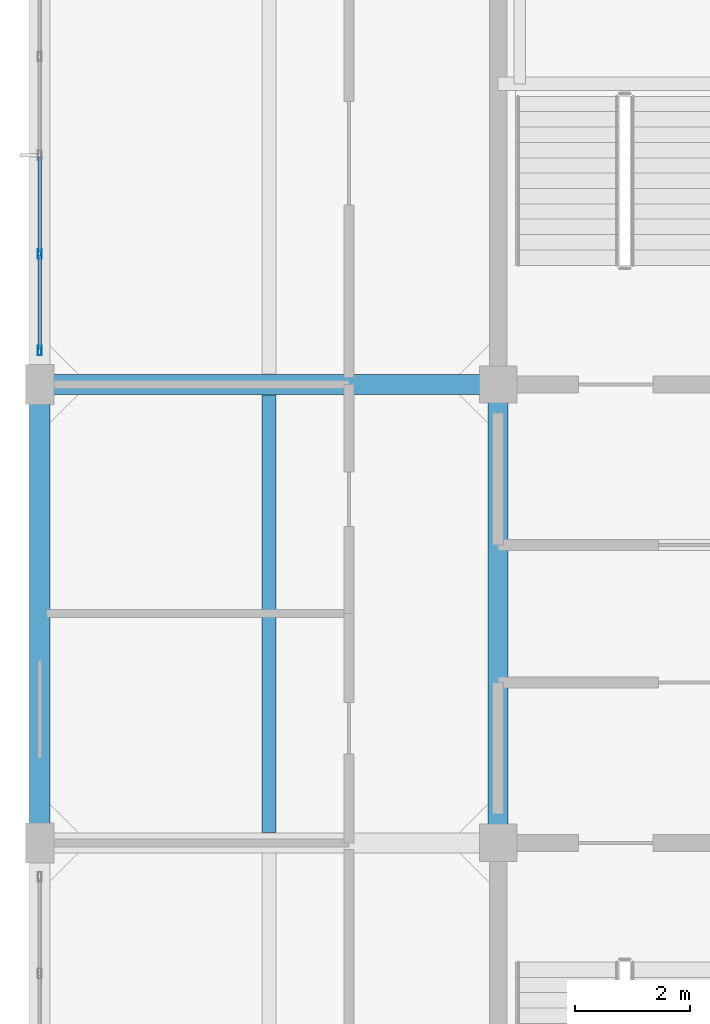
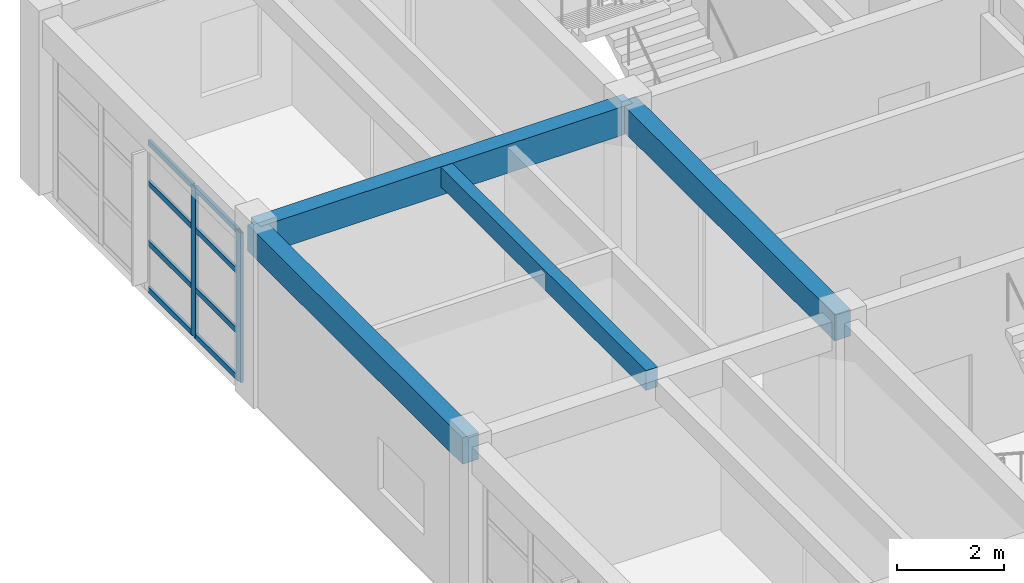
# One storey, part 9 of 20: 10 members, 4 beams, 1 element without a shape of its own.
"""IFC4 building model written with IfcOpenShell, lengths in metres."""

from ifc_helpers import new_model, si_unit, direction, frame, origin, origin_2d, place, context, subcontext, project, spatial, rectangle, hollow_rectangle, extrude, material, layer, layer_set, material_profile, profile_set, type_object, element, aggregate, save


model = new_model("IFC4")

# Units and contexts
model_context = context("Model", 3, precision=1e-05, world=origin(), true_north=direction((0.0, 1.0)))
body_context = subcontext(model_context, "Body", "Model", "MODEL_VIEW")
ifc_project = project(units=[si_unit("LENGTHUNIT", "METRE"), si_unit("AREAUNIT", "SQUARE_METRE"), si_unit("VOLUMEUNIT", "CUBIC_METRE"), si_unit("PLANEANGLEUNIT", "RADIAN"), si_unit("MASSUNIT", "GRAM", prefix="KILO")], contexts=[model_context])

# Site, building, storey
site_placement = place(None, origin())
site = spatial("IfcSite", under=ifc_project, at=site_placement, CompositionType="ELEMENT")
building_placement = place(site_placement, origin())
building = spatial("IfcBuilding", under=site, at=building_placement, Name="Canggui Botanical Conservatory", CompositionType="ELEMENT")
storey_placement = place(building_placement, frame((0.0, 0.0, 57.0)))
storey = spatial("IfcBuildingStorey", under=building, at=storey_placement, Name="L14", CompositionType="ELEMENT", Elevation=57.0)

# Beams
ifc_material_1 = material(Name="Concrete C35", Category="concrete")
ifc_material_profile_1 = material_profile(ifc_material_1, rectangle(XDim=0.25, YDim=0.449951171875, at=origin_2d()), Name="RB 250x450")
ifc_profile_set_1 = profile_set([ifc_material_profile_1], Name="Concrete C35")
beam_type_1 = type_object("IfcBeamType", Name="BM-JST05", PredefinedType="JOIST", material=ifc_profile_set_1)
beam_1_placement = place(storey_placement, frame((150.0, 50.179931640625, 3.735107421875), z_axis=(0.0, 1.0, 0.0), x_axis=(-1.0, 0.0, 0.0)))
element("IfcBeam", 1, at=beam_1_placement, inside=storey, type_object=beam_type_1, Name="Secondary Floor Joist L14-1-2", PredefinedType="JOIST", context=body_context, shape_type="SweptSolid", body=[
    extrude(rectangle(XDim=0.25, YDim=0.449951171875, at=origin_2d()), origin(), (0.0, 0.0, 1.0), 7.64013671875),
])
ifc_material_profile_2 = material_profile(ifc_material_1, rectangle(XDim=0.35009765625, YDim=0.64990234375, at=origin_2d()), Name="RB 350x650")
ifc_profile_set_2 = profile_set([ifc_material_profile_2], Name="Concrete C35")
beam_type_2 = type_object("IfcBeamType", Name="BM-KL18", PredefinedType="BEAM", material=ifc_profile_set_2)
beam_2_placement = place(storey_placement, frame((146.0, 58.0, 3.635009765625), z_axis=(1.0, 0.0, 0.0), x_axis=(0.0, 1.0, 0.0)))
element("IfcBeam", 2, at=beam_2_placement, inside=storey, type_object=beam_type_2, Name="Frame Girder L14 Y58-1", PredefinedType="BEAM", context=body_context, shape_type="SweptSolid", body=[
    extrude(rectangle(XDim=0.35009765625, YDim=0.64990234375, at=origin_2d()), origin(), (0.0, 0.0, 1.0), 8.0),
])
ifc_material_profile_3 = material_profile(ifc_material_1, rectangle(XDim=0.35009765625, YDim=0.60009765625, at=origin_2d()), Name="RB 350x600")
ifc_profile_set_3 = profile_set([ifc_material_profile_3], Name="Concrete C35")
beam_type_3 = type_object("IfcBeamType", Name="BM-KL19", PredefinedType="BEAM", material=ifc_profile_set_3)
for number, where, z_axis, x_axis, name in (
    (3, (146.0, 50.0, 3.659912109375), (0.0, 1.0, 0.0), (-1.0, 0.0, 0.0), "Frame Girder L14 X146-2"),
    (4, (154.0, 50.0, 3.659912109375), (0.0, 1.0, 0.0), (-1.0, 0.0, 0.0), "Frame Girder L14 X154-2"),
):
    element("IfcBeam", number, at=place(storey_placement, frame(where, z_axis=z_axis, x_axis=x_axis)), inside=storey, type_object=beam_type_3, Name=name, PredefinedType="BEAM", context=body_context, shape_type="SweptSolid", body=[
        extrude(rectangle(XDim=0.35009765625, YDim=0.60009765625, at=origin_2d()), origin(), (0.0, 0.0, 1.0), 8.0),
    ])

# Curtain wall, members
ifc_material_2 = material(Name="Thermally Broken Aluminium", Category="aluminium")
ifc_layer = layer(ifc_material_2, 0.1650390625, Name="Thermally Broken Aluminium", Category="aluminium")
ifc_layer_set = layer_set([ifc_layer], Name="Thermally Broken Aluminium")
curtain_wall_type = type_object("IfcCurtainWallType", Name="CW-UNIT-B", PredefinedType="USERDEFINED", material=ifc_layer_set)
curtain_wall_placement = place(storey_placement, origin())
curtain_wall = element("IfcCurtainWall", 5, at=curtain_wall_placement, inside=storey, type_object=curtain_wall_type, Name="Facade Curtain Wall CW-TWR-L14-06", ObjectType="UNITISED CURTAIN WALL", PredefinedType="USERDEFINED")
ifc_material_profile_4 = material_profile(ifc_material_2, hollow_rectangle(XDim=0.06494140625, YDim=0.1650390625, WallThickness=0.00390625, at=origin_2d()), Name="CWM 65x165x4")
ifc_profile_set_4 = profile_set([ifc_material_profile_4], Name="Thermally Broken Aluminium")
member_type_1 = type_object("IfcMemberType", Name="CWM-02", PredefinedType="MULLION", material=ifc_profile_set_4)
member_1_placement = place(storey_placement, frame((146.0, 58.592529296875, 0.0), z_axis=(0.0, 0.0, 1.0), x_axis=(-1.0, 0.0, 0.0)))
member_1 = element("IfcMember", 6, at=member_1_placement, type_object=member_type_1, Name="CW-02 mullion 1", PredefinedType="MULLION", context=body_context, shape_type="SweptSolid", body=[
    extrude(hollow_rectangle(XDim=0.06494140625, YDim=0.1650390625, WallThickness=0.00390625, at=origin_2d()), origin(), (0.0, 0.0, 1.0), 3.39990234375),
])
member_2_placement = place(storey_placement, frame((146.0, 60.280029296875, 0.0), z_axis=(0.0, 0.0, 1.0), x_axis=(-1.0, 0.0, 0.0)))
member_2 = element("IfcMember", 7, at=member_2_placement, type_object=member_type_1, Name="CW-02 mullion 2", PredefinedType="MULLION", context=body_context, shape_type="SweptSolid", body=[
    extrude(hollow_rectangle(XDim=0.06494140625, YDim=0.1650390625, WallThickness=0.00390625, at=origin_2d()), origin(), (0.0, 0.0, 1.0), 3.39990234375),
])
ifc_material_profile_5 = material_profile(ifc_material_2, hollow_rectangle(XDim=0.06005859375, YDim=0.1201171875, WallThickness=0.00341796875, at=origin_2d()), Name="CWT 60x120x3.5")
ifc_profile_set_5 = profile_set([ifc_material_profile_5], Name="Thermally Broken Aluminium")
member_type_2 = type_object("IfcMemberType", Name="CWT-02", PredefinedType="USERDEFINED", material=ifc_profile_set_5)
member_3_placement = place(storey_placement, frame((146.0, 58.625, 0.030029296875), z_axis=(0.0, 1.0, 0.0), x_axis=(-1.0, 0.0, 0.0)))
member_3 = element("IfcMember", 8, at=member_3_placement, type_object=member_type_2, Name="CW-02 transom 1.1", ObjectType="TRANSOM", PredefinedType="USERDEFINED", context=body_context, shape_type="SweptSolid", body=[
    extrude(hollow_rectangle(XDim=0.06005859375, YDim=0.1201171875, WallThickness=0.00341796875, at=origin_2d()), origin(), (0.0, 0.0, 1.0), 1.62255859375),
])
member_4_placement = place(storey_placement, frame((146.0, 58.625, 1.087890625), z_axis=(0.0, 1.0, 0.0), x_axis=(-1.0, 0.0, 0.0)))
member_4 = element("IfcMember", 9, at=member_4_placement, type_object=member_type_2, Name="CW-02 transom 1.2", ObjectType="TRANSOM", PredefinedType="USERDEFINED", context=body_context, shape_type="SweptSolid", body=[
    extrude(hollow_rectangle(XDim=0.06005859375, YDim=0.1201171875, WallThickness=0.00341796875, at=origin_2d()), origin(), (0.0, 0.0, 1.0), 1.62255859375),
])
member_5_placement = place(storey_placement, frame((146.0, 58.625, 2.447998046875), z_axis=(0.0, 1.0, 0.0), x_axis=(-1.0, 0.0, 0.0)))
member_5 = element("IfcMember", 10, at=member_5_placement, type_object=member_type_2, Name="CW-02 transom 1.3", ObjectType="TRANSOM", PredefinedType="USERDEFINED", context=body_context, shape_type="SweptSolid", body=[
    extrude(hollow_rectangle(XDim=0.06005859375, YDim=0.1201171875, WallThickness=0.00341796875, at=origin_2d()), origin(), (0.0, 0.0, 1.0), 1.62255859375),
])
member_6_placement = place(storey_placement, frame((146.0, 58.625, 3.3701171875), z_axis=(0.0, 1.0, 0.0), x_axis=(-1.0, 0.0, 0.0)))
member_6 = element("IfcMember", 11, at=member_6_placement, type_object=member_type_2, Name="CW-02 transom 1.4", ObjectType="TRANSOM", PredefinedType="USERDEFINED", context=body_context, shape_type="SweptSolid", body=[
    extrude(hollow_rectangle(XDim=0.06005859375, YDim=0.1201171875, WallThickness=0.00341796875, at=origin_2d()), origin(), (0.0, 0.0, 1.0), 1.62255859375),
])
member_7_placement = place(storey_placement, frame((146.0, 60.3125, 0.030029296875), z_axis=(0.0, 1.0, 0.0), x_axis=(-1.0, 0.0, 0.0)))
member_7 = element("IfcMember", 12, at=member_7_placement, type_object=member_type_2, Name="CW-02 transom 2.1", ObjectType="TRANSOM", PredefinedType="USERDEFINED", context=body_context, shape_type="SweptSolid", body=[
    extrude(hollow_rectangle(XDim=0.06005859375, YDim=0.1201171875, WallThickness=0.00341796875, at=origin_2d()), origin(), (0.0, 0.0, 1.0), 1.655029296875),
])
member_8_placement = place(storey_placement, frame((146.0, 60.3125, 1.087890625), z_axis=(0.0, 1.0, 0.0), x_axis=(-1.0, 0.0, 0.0)))
member_8 = element("IfcMember", 13, at=member_8_placement, type_object=member_type_2, Name="CW-02 transom 2.2", ObjectType="TRANSOM", PredefinedType="USERDEFINED", context=body_context, shape_type="SweptSolid", body=[
    extrude(hollow_rectangle(XDim=0.06005859375, YDim=0.1201171875, WallThickness=0.00341796875, at=origin_2d()), origin(), (0.0, 0.0, 1.0), 1.655029296875),
])
member_9_placement = place(storey_placement, frame((146.0, 60.3125, 2.447998046875), z_axis=(0.0, 1.0, 0.0), x_axis=(-1.0, 0.0, 0.0)))
member_9 = element("IfcMember", 14, at=member_9_placement, type_object=member_type_2, Name="CW-02 transom 2.3", ObjectType="TRANSOM", PredefinedType="USERDEFINED", context=body_context, shape_type="SweptSolid", body=[
    extrude(hollow_rectangle(XDim=0.06005859375, YDim=0.1201171875, WallThickness=0.00341796875, at=origin_2d()), origin(), (0.0, 0.0, 1.0), 1.655029296875),
])
member_10_placement = place(storey_placement, frame((146.0, 60.3125, 3.3701171875), z_axis=(0.0, 1.0, 0.0), x_axis=(-1.0, 0.0, 0.0)))
member_10 = element("IfcMember", 15, at=member_10_placement, type_object=member_type_2, Name="CW-02 transom 2.4", ObjectType="TRANSOM", PredefinedType="USERDEFINED", context=body_context, shape_type="SweptSolid", body=[
    extrude(hollow_rectangle(XDim=0.06005859375, YDim=0.1201171875, WallThickness=0.00341796875, at=origin_2d()), origin(), (0.0, 0.0, 1.0), 1.655029296875),
])
aggregate(curtain_wall, [member_1, member_2, member_3, member_4, member_5, member_6, member_7, member_8, member_9, member_10])

save(model, "model.ifc")
